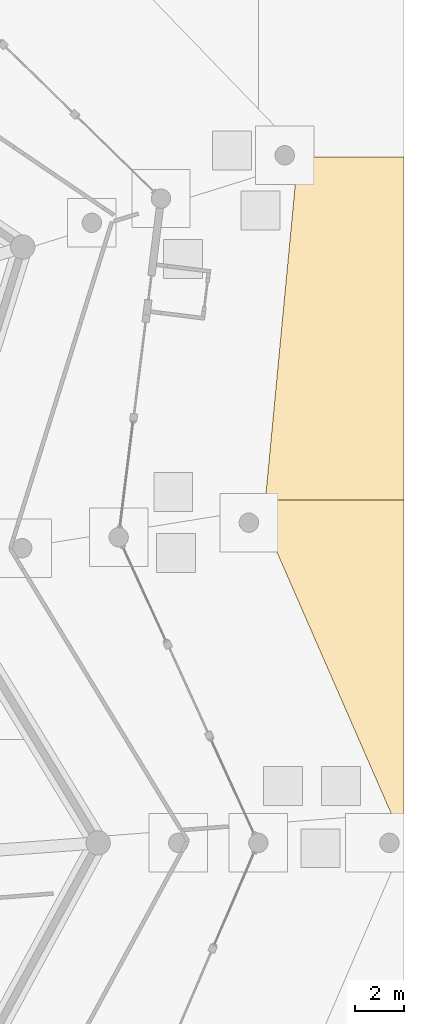
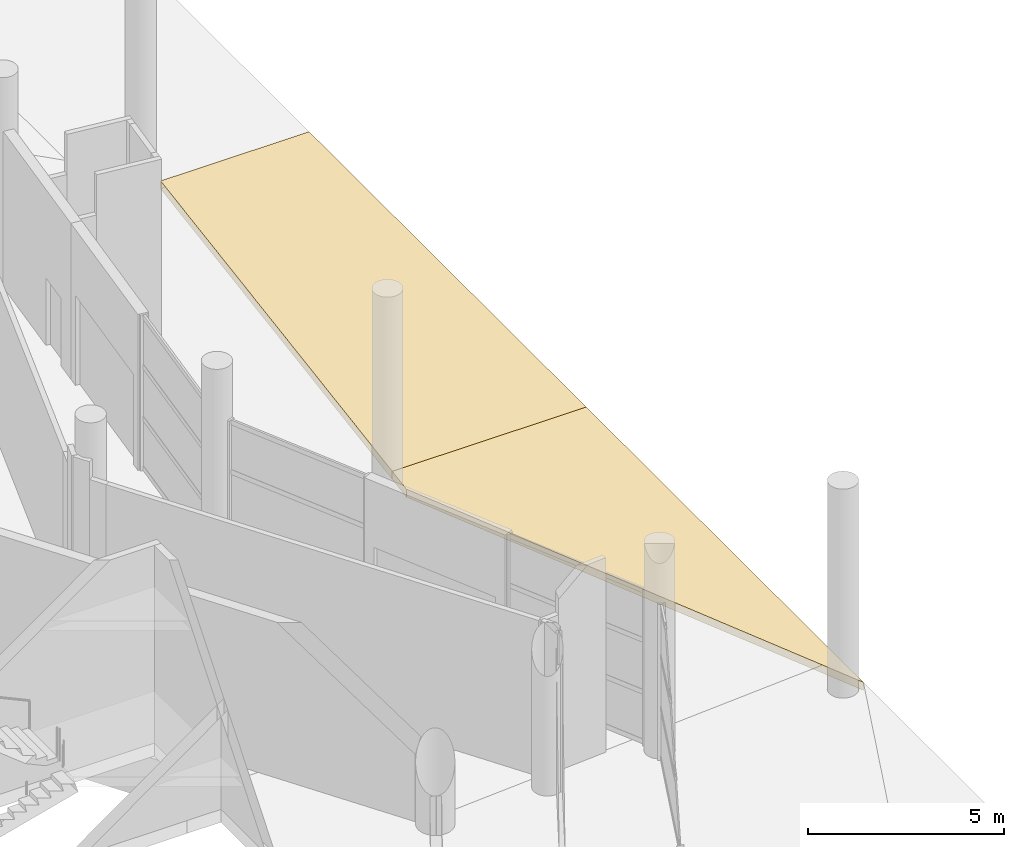
# One storey, part 246 of 255: 2 coverings.
"""IFC4 building model written with IfcOpenShell, lengths in metres."""

from ifc_helpers import new_model, si_unit, direction, frame, origin, place, context, subcontext, project, spatial, polyline, outline, extrude, material, layer, layer_set, type_object, element, save


model = new_model("IFC4")

# Units and contexts
model_context = context("Model", 3, precision=1e-05, world=origin(), true_north=direction((0.0, 1.0)))
body_context = subcontext(model_context, "Body", "Model", "MODEL_VIEW")
ifc_project = project(units=[si_unit("LENGTHUNIT", "METRE"), si_unit("AREAUNIT", "SQUARE_METRE"), si_unit("VOLUMEUNIT", "CUBIC_METRE"), si_unit("PLANEANGLEUNIT", "RADIAN"), si_unit("MASSUNIT", "GRAM", prefix="KILO")], contexts=[model_context])

# Site, building, storey
site_placement = place(None, origin())
site = spatial("IfcSite", under=ifc_project, at=site_placement, CompositionType="ELEMENT")
building_placement = place(site_placement, origin())
building = spatial("IfcBuilding", under=site, at=building_placement, Name="Meseta Stadium", CompositionType="ELEMENT")
storey_placement = place(building_placement, origin())
storey = spatial("IfcBuildingStorey", under=building, at=storey_placement, Name="L00", CompositionType="ELEMENT", Elevation=0.0)

# Coverings
ifc_material = material(Name="Guadarrama granite paving on bedding", Category="masonry")
ifc_layer = layer(ifc_material, 0.25)
ifc_layer_set = layer_set([ifc_layer], Name="Ground paving 250")
covering_type = type_object("IfcCoveringType", Name="Ground paving 250", PredefinedType="FLOORING", material=ifc_layer_set)
covering_1_placement = place(storey_placement, frame((0.0, 0.0, -0.25)))
element("IfcCovering", 1, at=covering_1_placement, inside=storey, type_object=covering_type, Name="Forecourt paving 44", PredefinedType="FLOORING", context=body_context, shape_type="SweptSolid", body=[
    extrude(outline(polyline([(114.0, 57.875), (108.28857421875, 57.875), (108.206298828125, 57.009033203125), (114.0, 43.75), (114.0, 57.875)])), origin(), (0.0, 0.0, 1.0), 0.25),
])
covering_2_placement = place(storey_placement, frame((0.0, 0.0, -0.25)))
element("IfcCovering", 2, at=covering_2_placement, inside=storey, type_object=covering_type, Name="Forecourt paving 47", PredefinedType="FLOORING", context=body_context, shape_type="SweptSolid", body=[
    extrude(outline(polyline([(114.0, 57.875), (114.0, 72.0), (109.627197265625, 72.0), (108.28857421875, 57.875), (114.0, 57.875)])), origin(), (0.0, 0.0, 1.0), 0.25),
])

save(model, "model.ifc")
